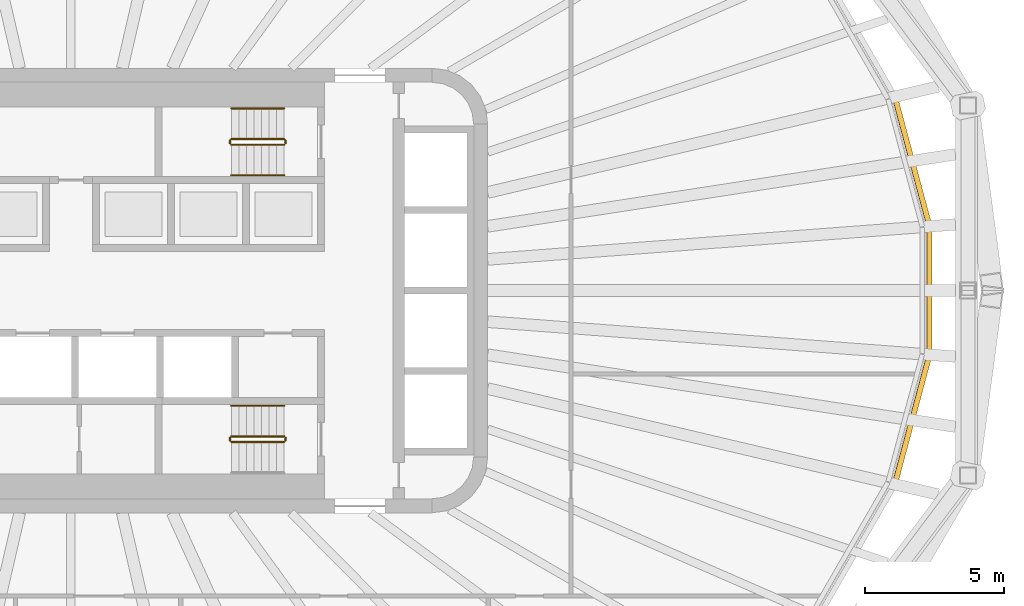
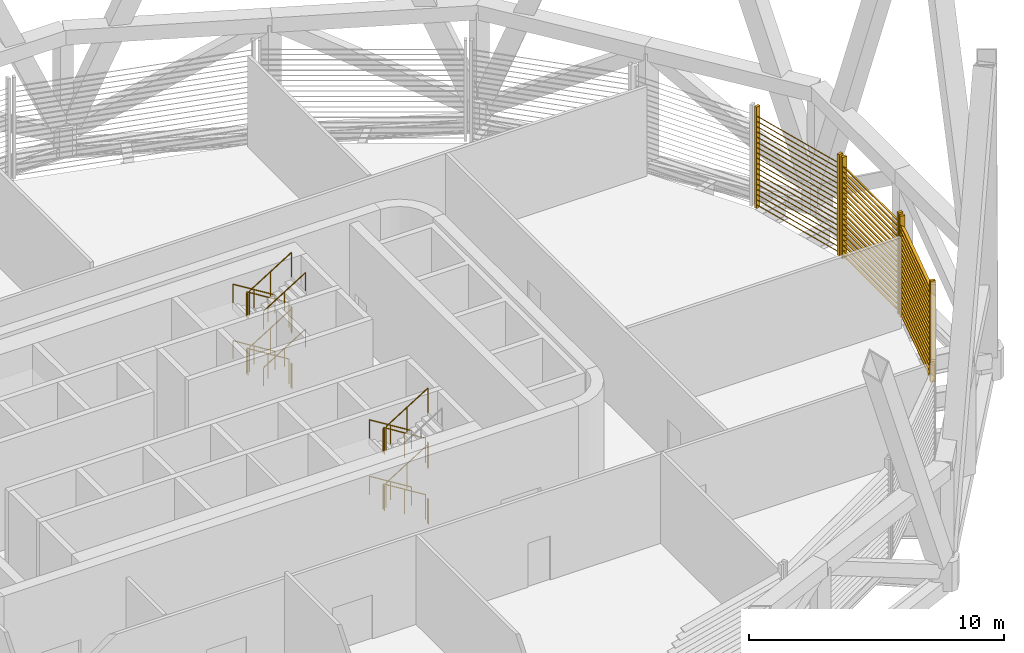
# One storey, part 15 of 18: 22 railings, 3 shading devices.
"""IFC4 building model written with IfcOpenShell, lengths in metres."""

from ifc_helpers import new_model, si_unit, direction, frame, origin, origin_2d, place, context, subcontext, project, spatial, rectangle, circle, extrude, material, type_object, element, save


model = new_model("IFC4")

# Units and contexts
model_context = context("Model", 3, precision=1e-05, world=origin(), true_north=direction((0.0, 1.0)))
body_context = subcontext(model_context, "Body", "Model", "MODEL_VIEW")
ifc_project = project(units=[si_unit("LENGTHUNIT", "METRE"), si_unit("AREAUNIT", "SQUARE_METRE"), si_unit("VOLUMEUNIT", "CUBIC_METRE"), si_unit("PLANEANGLEUNIT", "RADIAN"), si_unit("MASSUNIT", "GRAM", prefix="KILO")], contexts=[model_context])

# Site, building, storey
site_placement = place(None, origin())
site = spatial("IfcSite", under=ifc_project, at=site_placement, CompositionType="ELEMENT")
building_placement = place(site_placement, origin())
building = spatial("IfcBuilding", under=site, at=building_placement, Name="Sahrelin Media Tower", CompositionType="ELEMENT")
storey_placement = place(building_placement, frame((0.0, 0.0, 197.60009765625)))
storey = spatial("IfcBuildingStorey", under=building, at=storey_placement, Name="L42", CompositionType="ELEMENT", Elevation=197.60009765625)

# Shading devices
ifc_material_1 = material(Name="Champagne anodised aluminium 6063-T6", Category="aluminium")
shading_device_type = type_object("IfcShadingDeviceType", Name="Sand-rejection louvre band", PredefinedType="USERDEFINED", material=ifc_material_1)
shading_device_1_placement = place(storey_placement, frame((30.7998046875, 0.0, 0.0), z_axis=(0.0, 0.0, 1.0), x_axis=(0.0, -1.0, 0.0)))
element("IfcShadingDevice", 1, at=shading_device_1_placement, inside=storey, type_object=shading_device_type, Name="L42:LOUVRE:L42-00", ObjectType="LOUVRE", PredefinedType="USERDEFINED", context=body_context, shape_type="SweptSolid", body=[
    extrude(rectangle(XDim=0.1201171875, YDim=0.199951171875, at=origin_2d()), frame((2.19189453125, 0.10009765625, 0.050048828125), z_axis=(0.0, 0.0, 1.0), x_axis=(1.0, 0.0, 0.0)), (0.0, 0.0, 1.0), 4.8486328125),
    extrude(rectangle(XDim=0.1201171875, YDim=0.199951171875, at=origin_2d()), frame((-2.19189453125, 0.10009765625, 0.050048828125), z_axis=(0.0, 0.0, 1.0), x_axis=(1.0, 0.0, 0.0)), (0.0, 0.0, 1.0), 4.8486328125),
    extrude(rectangle(XDim=0.25, YDim=0.02001953125, at=origin_2d()), frame((2.1318359375, 0.10009765625, 0.14990234375), z_axis=(-1.0, 0.0, 0.0), x_axis=(0.0, -0.766044443119, 0.642787609687)), (0.0, 0.0, 1.0), 4.263671875),
    extrude(rectangle(XDim=0.25, YDim=0.02001953125, at=origin_2d()), frame((2.1318359375, 0.10009765625, 0.39990234375), z_axis=(-1.0, 0.0, 0.0), x_axis=(0.0, -0.766044443119, 0.642787609687)), (0.0, 0.0, 1.0), 4.263671875),
    extrude(rectangle(XDim=0.25, YDim=0.02001953125, at=origin_2d()), frame((2.1318359375, 0.10009765625, 0.64990234375), z_axis=(-1.0, 0.0, 0.0), x_axis=(0.0, -0.766044443119, 0.642787609687)), (0.0, 0.0, 1.0), 4.263671875),
    extrude(rectangle(XDim=0.25, YDim=0.02001953125, at=origin_2d()), frame((2.1318359375, 0.10009765625, 0.89990234375), z_axis=(-1.0, 0.0, 0.0), x_axis=(0.0, -0.766044443119, 0.642787609687)), (0.0, 0.0, 1.0), 4.263671875),
    extrude(rectangle(XDim=0.25, YDim=0.02001953125, at=origin_2d()), frame((2.1318359375, 0.10009765625, 1.14990234375), z_axis=(-1.0, 0.0, 0.0), x_axis=(0.0, -0.766044443119, 0.642787609687)), (0.0, 0.0, 1.0), 4.263671875),
    extrude(rectangle(XDim=0.25, YDim=0.02001953125, at=origin_2d()), frame((2.1318359375, 0.10009765625, 1.39990234375), z_axis=(-1.0, 0.0, 0.0), x_axis=(0.0, -0.766044443119, 0.642787609687)), (0.0, 0.0, 1.0), 4.263671875),
    extrude(rectangle(XDim=0.25, YDim=0.02001953125, at=origin_2d()), frame((2.1318359375, 0.10009765625, 1.64990234375), z_axis=(-1.0, 0.0, 0.0), x_axis=(0.0, -0.766044443119, 0.642787609687)), (0.0, 0.0, 1.0), 4.263671875),
    extrude(rectangle(XDim=0.25, YDim=0.02001953125, at=origin_2d()), frame((2.1318359375, 0.10009765625, 1.89990234375), z_axis=(-1.0, 0.0, 0.0), x_axis=(0.0, -0.766044443119, 0.642787609687)), (0.0, 0.0, 1.0), 4.263671875),
    extrude(rectangle(XDim=0.25, YDim=0.02001953125, at=origin_2d()), frame((2.1318359375, 0.10009765625, 2.14990234375), z_axis=(-1.0, 0.0, 0.0), x_axis=(0.0, -0.766044443119, 0.642787609687)), (0.0, 0.0, 1.0), 4.263671875),
    extrude(rectangle(XDim=0.25, YDim=0.02001953125, at=origin_2d()), frame((2.1318359375, 0.10009765625, 2.39990234375), z_axis=(-1.0, 0.0, 0.0), x_axis=(0.0, -0.766044443119, 0.642787609687)), (0.0, 0.0, 1.0), 4.263671875),
    extrude(rectangle(XDim=0.25, YDim=0.02001953125, at=origin_2d()), frame((2.1318359375, 0.10009765625, 2.64990234375), z_axis=(-1.0, 0.0, 0.0), x_axis=(0.0, -0.766044443119, 0.642787609687)), (0.0, 0.0, 1.0), 4.263671875),
    extrude(rectangle(XDim=0.25, YDim=0.02001953125, at=origin_2d()), frame((2.1318359375, 0.10009765625, 2.89990234375), z_axis=(-1.0, 0.0, 0.0), x_axis=(0.0, -0.766044443119, 0.642787609687)), (0.0, 0.0, 1.0), 4.263671875),
    extrude(rectangle(XDim=0.25, YDim=0.02001953125, at=origin_2d()), frame((2.1318359375, 0.10009765625, 3.14990234375), z_axis=(-1.0, 0.0, 0.0), x_axis=(0.0, -0.766044443119, 0.642787609687)), (0.0, 0.0, 1.0), 4.263671875),
    extrude(rectangle(XDim=0.25, YDim=0.02001953125, at=origin_2d()), frame((2.1318359375, 0.10009765625, 3.39990234375), z_axis=(-1.0, 0.0, 0.0), x_axis=(0.0, -0.766044443119, 0.642787609687)), (0.0, 0.0, 1.0), 4.263671875),
    extrude(rectangle(XDim=0.25, YDim=0.02001953125, at=origin_2d()), frame((2.1318359375, 0.10009765625, 3.64990234375), z_axis=(-1.0, 0.0, 0.0), x_axis=(0.0, -0.766044443119, 0.642787609687)), (0.0, 0.0, 1.0), 4.263671875),
    extrude(rectangle(XDim=0.25, YDim=0.02001953125, at=origin_2d()), frame((2.1318359375, 0.10009765625, 3.89990234375), z_axis=(-1.0, 0.0, 0.0), x_axis=(0.0, -0.766044443119, 0.642787609687)), (0.0, 0.0, 1.0), 4.263671875),
    extrude(rectangle(XDim=0.25, YDim=0.02001953125, at=origin_2d()), frame((2.1318359375, 0.10009765625, 4.14990234375), z_axis=(-1.0, 0.0, 0.0), x_axis=(0.0, -0.766044443119, 0.642787609687)), (0.0, 0.0, 1.0), 4.263671875),
    extrude(rectangle(XDim=0.25, YDim=0.02001953125, at=origin_2d()), frame((2.1318359375, 0.10009765625, 4.39990234375), z_axis=(-1.0, 0.0, 0.0), x_axis=(0.0, -0.766044443119, 0.642787609687)), (0.0, 0.0, 1.0), 4.263671875),
])
shading_device_2_placement = place(storey_placement, frame((30.176513671875, 4.627197265625, 0.0), z_axis=(0.0, 0.0, 1.0), x_axis=(0.258807731996, -0.965928857556, 0.0)))
element("IfcShadingDevice", 2, at=shading_device_2_placement, inside=storey, type_object=shading_device_type, Name="L42:LOUVRE:L42-01", ObjectType="LOUVRE", PredefinedType="USERDEFINED", context=body_context, shape_type="SweptSolid", body=[
    extrude(rectangle(XDim=0.1201171875, YDim=0.199951171875, at=origin_2d()), frame((2.29736328125, 0.10009765625, 0.050048828125), z_axis=(0.0, 0.0, 1.0), x_axis=(1.0, 0.0, 0.0)), (0.0, 0.0, 1.0), 4.8486328125),
    extrude(rectangle(XDim=0.1201171875, YDim=0.199951171875, at=origin_2d()), frame((-2.29736328125, 0.10009765625, 0.050048828125), z_axis=(0.0, 0.0, 1.0), x_axis=(1.0, 0.0, 0.0)), (0.0, 0.0, 1.0), 4.8486328125),
    extrude(rectangle(XDim=0.25, YDim=0.02001953125, at=origin_2d()), frame((2.2373046875, 0.10009765625, 0.14990234375), z_axis=(-1.0, 0.0, 0.0), x_axis=(0.0, -0.766044443119, 0.642787609687)), (0.0, 0.0, 1.0), 4.474609375),
    extrude(rectangle(XDim=0.25, YDim=0.02001953125, at=origin_2d()), frame((2.2373046875, 0.10009765625, 0.39990234375), z_axis=(-1.0, 0.0, 0.0), x_axis=(0.0, -0.766044443119, 0.642787609687)), (0.0, 0.0, 1.0), 4.474609375),
    extrude(rectangle(XDim=0.25, YDim=0.02001953125, at=origin_2d()), frame((2.2373046875, 0.10009765625, 0.64990234375), z_axis=(-1.0, 0.0, 0.0), x_axis=(0.0, -0.766044443119, 0.642787609687)), (0.0, 0.0, 1.0), 4.474609375),
    extrude(rectangle(XDim=0.25, YDim=0.02001953125, at=origin_2d()), frame((2.2373046875, 0.10009765625, 0.89990234375), z_axis=(-1.0, 0.0, 0.0), x_axis=(0.0, -0.766044443119, 0.642787609687)), (0.0, 0.0, 1.0), 4.474609375),
    extrude(rectangle(XDim=0.25, YDim=0.02001953125, at=origin_2d()), frame((2.2373046875, 0.10009765625, 1.14990234375), z_axis=(-1.0, 0.0, 0.0), x_axis=(0.0, -0.766044443119, 0.642787609687)), (0.0, 0.0, 1.0), 4.474609375),
    extrude(rectangle(XDim=0.25, YDim=0.02001953125, at=origin_2d()), frame((2.2373046875, 0.10009765625, 1.39990234375), z_axis=(-1.0, 0.0, 0.0), x_axis=(0.0, -0.766044443119, 0.642787609687)), (0.0, 0.0, 1.0), 4.474609375),
    extrude(rectangle(XDim=0.25, YDim=0.02001953125, at=origin_2d()), frame((2.2373046875, 0.10009765625, 1.64990234375), z_axis=(-1.0, 0.0, 0.0), x_axis=(0.0, -0.766044443119, 0.642787609687)), (0.0, 0.0, 1.0), 4.474609375),
    extrude(rectangle(XDim=0.25, YDim=0.02001953125, at=origin_2d()), frame((2.2373046875, 0.10009765625, 1.89990234375), z_axis=(-1.0, 0.0, 0.0), x_axis=(0.0, -0.766044443119, 0.642787609687)), (0.0, 0.0, 1.0), 4.474609375),
    extrude(rectangle(XDim=0.25, YDim=0.02001953125, at=origin_2d()), frame((2.2373046875, 0.10009765625, 2.14990234375), z_axis=(-1.0, 0.0, 0.0), x_axis=(0.0, -0.766044443119, 0.642787609687)), (0.0, 0.0, 1.0), 4.474609375),
    extrude(rectangle(XDim=0.25, YDim=0.02001953125, at=origin_2d()), frame((2.2373046875, 0.10009765625, 2.39990234375), z_axis=(-1.0, 0.0, 0.0), x_axis=(0.0, -0.766044443119, 0.642787609687)), (0.0, 0.0, 1.0), 4.474609375),
    extrude(rectangle(XDim=0.25, YDim=0.02001953125, at=origin_2d()), frame((2.2373046875, 0.10009765625, 2.64990234375), z_axis=(-1.0, 0.0, 0.0), x_axis=(0.0, -0.766044443119, 0.642787609687)), (0.0, 0.0, 1.0), 4.474609375),
    extrude(rectangle(XDim=0.25, YDim=0.02001953125, at=origin_2d()), frame((2.2373046875, 0.10009765625, 2.89990234375), z_axis=(-1.0, 0.0, 0.0), x_axis=(0.0, -0.766044443119, 0.642787609687)), (0.0, 0.0, 1.0), 4.474609375),
    extrude(rectangle(XDim=0.25, YDim=0.02001953125, at=origin_2d()), frame((2.2373046875, 0.10009765625, 3.14990234375), z_axis=(-1.0, 0.0, 0.0), x_axis=(0.0, -0.766044443119, 0.642787609687)), (0.0, 0.0, 1.0), 4.474609375),
    extrude(rectangle(XDim=0.25, YDim=0.02001953125, at=origin_2d()), frame((2.2373046875, 0.10009765625, 3.39990234375), z_axis=(-1.0, 0.0, 0.0), x_axis=(0.0, -0.766044443119, 0.642787609687)), (0.0, 0.0, 1.0), 4.474609375),
    extrude(rectangle(XDim=0.25, YDim=0.02001953125, at=origin_2d()), frame((2.2373046875, 0.10009765625, 3.64990234375), z_axis=(-1.0, 0.0, 0.0), x_axis=(0.0, -0.766044443119, 0.642787609687)), (0.0, 0.0, 1.0), 4.474609375),
    extrude(rectangle(XDim=0.25, YDim=0.02001953125, at=origin_2d()), frame((2.2373046875, 0.10009765625, 3.89990234375), z_axis=(-1.0, 0.0, 0.0), x_axis=(0.0, -0.766044443119, 0.642787609687)), (0.0, 0.0, 1.0), 4.474609375),
    extrude(rectangle(XDim=0.25, YDim=0.02001953125, at=origin_2d()), frame((2.2373046875, 0.10009765625, 4.14990234375), z_axis=(-1.0, 0.0, 0.0), x_axis=(0.0, -0.766044443119, 0.642787609687)), (0.0, 0.0, 1.0), 4.474609375),
    extrude(rectangle(XDim=0.25, YDim=0.02001953125, at=origin_2d()), frame((2.2373046875, 0.10009765625, 4.39990234375), z_axis=(-1.0, 0.0, 0.0), x_axis=(0.0, -0.766044443119, 0.642787609687)), (0.0, 0.0, 1.0), 4.474609375),
])
shading_device_3_placement = place(storey_placement, frame((30.1767578125, -4.627197265625, 0.0), z_axis=(0.0, 0.0, 1.0), x_axis=(-0.258807731996, -0.965928857556, 0.0)))
element("IfcShadingDevice", 3, at=shading_device_3_placement, inside=storey, type_object=shading_device_type, Name="L42:LOUVRE:L42-23", ObjectType="LOUVRE", PredefinedType="USERDEFINED", context=body_context, shape_type="SweptSolid", body=[
    extrude(rectangle(XDim=0.1201171875, YDim=0.199951171875, at=origin_2d()), frame((2.29736328125, 0.10009765625, 0.050048828125), z_axis=(0.0, 0.0, 1.0), x_axis=(1.0, 0.0, 0.0)), (0.0, 0.0, 1.0), 4.8486328125),
    extrude(rectangle(XDim=0.1201171875, YDim=0.199951171875, at=origin_2d()), frame((-2.29736328125, 0.10009765625, 0.050048828125), z_axis=(0.0, 0.0, 1.0), x_axis=(1.0, 0.0, 0.0)), (0.0, 0.0, 1.0), 4.8486328125),
    extrude(rectangle(XDim=0.25, YDim=0.02001953125, at=origin_2d()), frame((2.2373046875, 0.10009765625, 0.14990234375), z_axis=(-1.0, 0.0, 0.0), x_axis=(0.0, -0.766044443119, 0.642787609687)), (0.0, 0.0, 1.0), 4.474609375),
    extrude(rectangle(XDim=0.25, YDim=0.02001953125, at=origin_2d()), frame((2.2373046875, 0.10009765625, 0.39990234375), z_axis=(-1.0, 0.0, 0.0), x_axis=(0.0, -0.766044443119, 0.642787609687)), (0.0, 0.0, 1.0), 4.474609375),
    extrude(rectangle(XDim=0.25, YDim=0.02001953125, at=origin_2d()), frame((2.2373046875, 0.10009765625, 0.64990234375), z_axis=(-1.0, 0.0, 0.0), x_axis=(0.0, -0.766044443119, 0.642787609687)), (0.0, 0.0, 1.0), 4.474609375),
    extrude(rectangle(XDim=0.25, YDim=0.02001953125, at=origin_2d()), frame((2.2373046875, 0.10009765625, 0.89990234375), z_axis=(-1.0, 0.0, 0.0), x_axis=(0.0, -0.766044443119, 0.642787609687)), (0.0, 0.0, 1.0), 4.474609375),
    extrude(rectangle(XDim=0.25, YDim=0.02001953125, at=origin_2d()), frame((2.2373046875, 0.10009765625, 1.14990234375), z_axis=(-1.0, 0.0, 0.0), x_axis=(0.0, -0.766044443119, 0.642787609687)), (0.0, 0.0, 1.0), 4.474609375),
    extrude(rectangle(XDim=0.25, YDim=0.02001953125, at=origin_2d()), frame((2.2373046875, 0.10009765625, 1.39990234375), z_axis=(-1.0, 0.0, 0.0), x_axis=(0.0, -0.766044443119, 0.642787609687)), (0.0, 0.0, 1.0), 4.474609375),
    extrude(rectangle(XDim=0.25, YDim=0.02001953125, at=origin_2d()), frame((2.2373046875, 0.10009765625, 1.64990234375), z_axis=(-1.0, 0.0, 0.0), x_axis=(0.0, -0.766044443119, 0.642787609687)), (0.0, 0.0, 1.0), 4.474609375),
    extrude(rectangle(XDim=0.25, YDim=0.02001953125, at=origin_2d()), frame((2.2373046875, 0.10009765625, 1.89990234375), z_axis=(-1.0, 0.0, 0.0), x_axis=(0.0, -0.766044443119, 0.642787609687)), (0.0, 0.0, 1.0), 4.474609375),
    extrude(rectangle(XDim=0.25, YDim=0.02001953125, at=origin_2d()), frame((2.2373046875, 0.10009765625, 2.14990234375), z_axis=(-1.0, 0.0, 0.0), x_axis=(0.0, -0.766044443119, 0.642787609687)), (0.0, 0.0, 1.0), 4.474609375),
    extrude(rectangle(XDim=0.25, YDim=0.02001953125, at=origin_2d()), frame((2.2373046875, 0.10009765625, 2.39990234375), z_axis=(-1.0, 0.0, 0.0), x_axis=(0.0, -0.766044443119, 0.642787609687)), (0.0, 0.0, 1.0), 4.474609375),
    extrude(rectangle(XDim=0.25, YDim=0.02001953125, at=origin_2d()), frame((2.2373046875, 0.10009765625, 2.64990234375), z_axis=(-1.0, 0.0, 0.0), x_axis=(0.0, -0.766044443119, 0.642787609687)), (0.0, 0.0, 1.0), 4.474609375),
    extrude(rectangle(XDim=0.25, YDim=0.02001953125, at=origin_2d()), frame((2.2373046875, 0.10009765625, 2.89990234375), z_axis=(-1.0, 0.0, 0.0), x_axis=(0.0, -0.766044443119, 0.642787609687)), (0.0, 0.0, 1.0), 4.474609375),
    extrude(rectangle(XDim=0.25, YDim=0.02001953125, at=origin_2d()), frame((2.2373046875, 0.10009765625, 3.14990234375), z_axis=(-1.0, 0.0, 0.0), x_axis=(0.0, -0.766044443119, 0.642787609687)), (0.0, 0.0, 1.0), 4.474609375),
    extrude(rectangle(XDim=0.25, YDim=0.02001953125, at=origin_2d()), frame((2.2373046875, 0.10009765625, 3.39990234375), z_axis=(-1.0, 0.0, 0.0), x_axis=(0.0, -0.766044443119, 0.642787609687)), (0.0, 0.0, 1.0), 4.474609375),
    extrude(rectangle(XDim=0.25, YDim=0.02001953125, at=origin_2d()), frame((2.2373046875, 0.10009765625, 3.64990234375), z_axis=(-1.0, 0.0, 0.0), x_axis=(0.0, -0.766044443119, 0.642787609687)), (0.0, 0.0, 1.0), 4.474609375),
    extrude(rectangle(XDim=0.25, YDim=0.02001953125, at=origin_2d()), frame((2.2373046875, 0.10009765625, 3.89990234375), z_axis=(-1.0, 0.0, 0.0), x_axis=(0.0, -0.766044443119, 0.642787609687)), (0.0, 0.0, 1.0), 4.474609375),
    extrude(rectangle(XDim=0.25, YDim=0.02001953125, at=origin_2d()), frame((2.2373046875, 0.10009765625, 4.14990234375), z_axis=(-1.0, 0.0, 0.0), x_axis=(0.0, -0.766044443119, 0.642787609687)), (0.0, 0.0, 1.0), 4.474609375),
    extrude(rectangle(XDim=0.25, YDim=0.02001953125, at=origin_2d()), frame((2.2373046875, 0.10009765625, 4.39990234375), z_axis=(-1.0, 0.0, 0.0), x_axis=(0.0, -0.766044443119, 0.642787609687)), (0.0, 0.0, 1.0), 4.474609375),
])

# Railings
ifc_material_2 = material(Name="Steel S355", Category="steel")
railing_type_1 = type_object("IfcRailingType", Name="Stair guard 1200", PredefinedType="GUARDRAIL", material=ifc_material_2)
railing_1_placement = place(storey_placement, frame((7.675048828125, 5.449951171875, 0.168701171875)))
element("IfcRailing", 4, at=railing_1_placement, inside=storey, type_object=railing_type_1, Name="L42 ST3 stair guard 1", PredefinedType="GUARDRAIL", context=body_context, shape_type="SweptSolid", body=[
    extrude(circle(Radius=0.02392578125, at=origin_2d()), frame((0.0, 0.0, 1.17578125), z_axis=(-0.849289292259, 0.0, 0.527927739425), x_axis=(0.0, -1.0, 0.0)), (0.0, 0.0, 1.0), 2.2373046875),
    extrude(circle(Radius=0.02099609375, at=origin_2d()), origin(), (0.0, 0.0, 1.0), 1.15185546875),
    extrude(circle(Radius=0.02099609375, at=origin_2d()), frame((-0.9501953125, 0.0, 0.590576171875)), (0.0, 0.0, 1.0), 1.15185546875),
    extrude(circle(Radius=0.02099609375, at=origin_2d()), frame((-1.900146484375, 0.0, 1.18115234375)), (0.0, 0.0, 1.0), 1.15185546875),
])
railing_2_placement = place(storey_placement, frame((5.72509765625, 5.39990234375, 1.349853515625)))
element("IfcRailing", 5, at=railing_2_placement, inside=storey, type_object=railing_type_1, Name="L42 ST3 stair guard 2", PredefinedType="GUARDRAIL", context=body_context, shape_type="SweptSolid", body=[
    extrude(circle(Radius=0.02392578125, at=origin_2d()), frame((0.0, 0.0, 1.17578125), z_axis=(0.0, -1.0, 0.0), x_axis=(1.0, 0.0, 0.0)), (0.0, 0.0, 1.0), 0.099853515625),
    extrude(circle(Radius=0.02099609375, at=origin_2d()), origin(), (0.0, 0.0, 1.0), 1.15185546875),
    extrude(circle(Radius=0.02099609375, at=origin_2d()), frame((0.0, -0.099853515625, 0.0)), (0.0, 0.0, 1.0), 1.15185546875),
])
railing_3_placement = place(storey_placement, frame((5.77490234375, 5.25, 1.5185546875)))
element("IfcRailing", 6, at=railing_3_placement, inside=storey, type_object=railing_type_1, Name="L42 ST3 stair guard 3", PredefinedType="GUARDRAIL", context=body_context, shape_type="SweptSolid", body=[
    extrude(circle(Radius=0.02392578125, at=origin_2d()), frame((0.0, 0.0, 1.17578125), z_axis=(0.849240365539, 0.0, 0.528006440812), x_axis=(0.0, 1.0, 0.0)), (0.0, 0.0, 1.0), 2.237548828125),
    extrude(circle(Radius=0.02099609375, at=origin_2d()), origin(), (0.0, 0.0, 1.0), 1.15185546875),
    extrude(circle(Radius=0.02099609375, at=origin_2d()), frame((0.9501953125, 0.0, 0.5908203125)), (0.0, 0.0, 1.0), 1.15185546875),
    extrude(circle(Radius=0.02099609375, at=origin_2d()), frame((1.900146484375, 0.0, 1.181396484375)), (0.0, 0.0, 1.0), 1.15185546875),
])
railing_4_placement = place(storey_placement, frame((7.72509765625, 5.39990234375, 2.699951171875)))
element("IfcRailing", 7, at=railing_4_placement, inside=storey, type_object=railing_type_1, Name="L42 ST3 stair guard 4", PredefinedType="GUARDRAIL", context=body_context, shape_type="SweptSolid", body=[
    extrude(circle(Radius=0.02392578125, at=origin_2d()), frame((0.0, 0.0, 1.17578125), z_axis=(0.0, -1.0, 0.0), x_axis=(1.0, 0.0, 0.0)), (0.0, 0.0, 1.0), 0.099853515625),
    extrude(circle(Radius=0.02099609375, at=origin_2d()), origin(), (0.0, 0.0, 1.0), 1.15185546875),
    extrude(circle(Radius=0.02099609375, at=origin_2d()), frame((0.0, -0.099853515625, 0.0)), (0.0, 0.0, 1.0), 1.15185546875),
])
railing_5_placement = place(storey_placement, frame((7.675048828125, 5.449951171875, 2.86865234375)))
element("IfcRailing", 8, at=railing_5_placement, inside=storey, type_object=railing_type_1, Name="L42 ST3 stair guard 5", PredefinedType="GUARDRAIL", context=body_context, shape_type="SweptSolid", body=[
    extrude(circle(Radius=0.02392578125, at=origin_2d()), frame((0.0, 0.0, 1.17578125), z_axis=(-0.849289292259, 0.0, 0.527927739425), x_axis=(0.0, -1.0, 0.0)), (0.0, 0.0, 1.0), 2.2373046875),
    extrude(circle(Radius=0.02099609375, at=origin_2d()), origin(), (0.0, 0.0, 1.0), 1.15185546875),
    extrude(circle(Radius=0.02099609375, at=origin_2d()), frame((-0.9501953125, 0.0, 0.590576171875)), (0.0, 0.0, 1.0), 1.15185546875),
    extrude(circle(Radius=0.02099609375, at=origin_2d()), frame((-1.900146484375, 0.0, 1.18115234375)), (0.0, 0.0, 1.0), 1.15185546875),
])
railing_6_placement = place(storey_placement, frame((5.72509765625, 5.39990234375, 4.0498046875)))
element("IfcRailing", 9, at=railing_6_placement, inside=storey, type_object=railing_type_1, Name="L42 ST3 stair guard 6", PredefinedType="GUARDRAIL", context=body_context, shape_type="SweptSolid", body=[
    extrude(circle(Radius=0.02392578125, at=origin_2d()), frame((0.0, 0.0, 1.17578125), z_axis=(0.0, -1.0, 0.0), x_axis=(1.0, 0.0, 0.0)), (0.0, 0.0, 1.0), 0.099853515625),
    extrude(circle(Radius=0.02099609375, at=origin_2d()), origin(), (0.0, 0.0, 1.0), 1.15185546875),
    extrude(circle(Radius=0.02099609375, at=origin_2d()), frame((0.0, -0.099853515625, 0.0)), (0.0, 0.0, 1.0), 1.15185546875),
])
railing_7_placement = place(storey_placement, frame((5.77490234375, 5.25, 4.21875)))
element("IfcRailing", 10, at=railing_7_placement, inside=storey, type_object=railing_type_1, Name="L42 ST3 stair guard 7", PredefinedType="GUARDRAIL", context=body_context, shape_type="SweptSolid", body=[
    extrude(circle(Radius=0.02392578125, at=origin_2d()), frame((0.0, 0.0, 1.17578125), z_axis=(0.849289292259, 0.0, 0.527927739425), x_axis=(0.0, 1.0, 0.0)), (0.0, 0.0, 1.0), 2.2373046875),
    extrude(circle(Radius=0.02099609375, at=origin_2d()), origin(), (0.0, 0.0, 1.0), 1.15185546875),
    extrude(circle(Radius=0.02099609375, at=origin_2d()), frame((0.9501953125, 0.0, 0.590576171875)), (0.0, 0.0, 1.0), 1.15185546875),
    extrude(circle(Radius=0.02099609375, at=origin_2d()), frame((1.900146484375, 0.0, 1.18115234375)), (0.0, 0.0, 1.0), 1.15185546875),
])
railing_8_placement = place(storey_placement, frame((7.72509765625, 5.39990234375, 0.0)))
element("IfcRailing", 11, at=railing_8_placement, inside=storey, type_object=railing_type_1, Name="L42 ST3 stair guard 8", PredefinedType="GUARDRAIL", context=body_context, shape_type="SweptSolid", body=[
    extrude(circle(Radius=0.02392578125, at=origin_2d()), frame((0.0, 0.0, 1.17578125), z_axis=(0.0, -1.0, 0.0), x_axis=(1.0, 0.0, 0.0)), (0.0, 0.0, 1.0), 0.099853515625),
    extrude(circle(Radius=0.02099609375, at=origin_2d()), origin(), (0.0, 0.0, 1.0), 1.15185546875),
    extrude(circle(Radius=0.02099609375, at=origin_2d()), frame((0.0, -0.099853515625, 0.0)), (0.0, 0.0, 1.0), 1.15185546875),
])
railing_9_placement = place(storey_placement, frame((7.675048828125, -5.25, 0.168701171875)))
element("IfcRailing", 12, at=railing_9_placement, inside=storey, type_object=railing_type_1, Name="L42 ST2 stair guard 1", PredefinedType="GUARDRAIL", context=body_context, shape_type="SweptSolid", body=[
    extrude(circle(Radius=0.02392578125, at=origin_2d()), frame((0.0, 0.0, 1.17578125), z_axis=(-0.849289292259, 0.0, 0.527927739425), x_axis=(0.0, -1.0, 0.0)), (0.0, 0.0, 1.0), 2.2373046875),
    extrude(circle(Radius=0.02099609375, at=origin_2d()), origin(), (0.0, 0.0, 1.0), 1.15185546875),
    extrude(circle(Radius=0.02099609375, at=origin_2d()), frame((-0.9501953125, 0.0, 0.590576171875)), (0.0, 0.0, 1.0), 1.15185546875),
    extrude(circle(Radius=0.02099609375, at=origin_2d()), frame((-1.900146484375, 0.0, 1.18115234375)), (0.0, 0.0, 1.0), 1.15185546875),
])
railing_10_placement = place(storey_placement, frame((5.72509765625, -5.300048828125, 1.349853515625)))
element("IfcRailing", 13, at=railing_10_placement, inside=storey, type_object=railing_type_1, Name="L42 ST2 stair guard 2", PredefinedType="GUARDRAIL", context=body_context, shape_type="SweptSolid", body=[
    extrude(circle(Radius=0.02392578125, at=origin_2d()), frame((0.0, 0.0, 1.17578125), z_axis=(0.0, -1.0, 0.0), x_axis=(1.0, 0.0, 0.0)), (0.0, 0.0, 1.0), 0.099853515625),
    extrude(circle(Radius=0.02099609375, at=origin_2d()), origin(), (0.0, 0.0, 1.0), 1.15185546875),
    extrude(circle(Radius=0.02099609375, at=origin_2d()), frame((0.0, -0.099853515625, 0.0)), (0.0, 0.0, 1.0), 1.15185546875),
])
railing_11_placement = place(storey_placement, frame((5.77490234375, -5.449951171875, 1.5185546875)))
element("IfcRailing", 14, at=railing_11_placement, inside=storey, type_object=railing_type_1, Name="L42 ST2 stair guard 3", PredefinedType="GUARDRAIL", context=body_context, shape_type="SweptSolid", body=[
    extrude(circle(Radius=0.02392578125, at=origin_2d()), frame((0.0, 0.0, 1.17578125), z_axis=(0.849240365539, 0.0, 0.528006440812), x_axis=(0.0, 1.0, 0.0)), (0.0, 0.0, 1.0), 2.237548828125),
    extrude(circle(Radius=0.02099609375, at=origin_2d()), origin(), (0.0, 0.0, 1.0), 1.15185546875),
    extrude(circle(Radius=0.02099609375, at=origin_2d()), frame((0.9501953125, 0.0, 0.5908203125)), (0.0, 0.0, 1.0), 1.15185546875),
    extrude(circle(Radius=0.02099609375, at=origin_2d()), frame((1.900146484375, 0.0, 1.181396484375)), (0.0, 0.0, 1.0), 1.15185546875),
])
railing_12_placement = place(storey_placement, frame((7.72509765625, -5.300048828125, 2.699951171875)))
element("IfcRailing", 15, at=railing_12_placement, inside=storey, type_object=railing_type_1, Name="L42 ST2 stair guard 4", PredefinedType="GUARDRAIL", context=body_context, shape_type="SweptSolid", body=[
    extrude(circle(Radius=0.02392578125, at=origin_2d()), frame((0.0, 0.0, 1.17578125), z_axis=(0.0, -1.0, 0.0), x_axis=(1.0, 0.0, 0.0)), (0.0, 0.0, 1.0), 0.099853515625),
    extrude(circle(Radius=0.02099609375, at=origin_2d()), origin(), (0.0, 0.0, 1.0), 1.15185546875),
    extrude(circle(Radius=0.02099609375, at=origin_2d()), frame((0.0, -0.099853515625, 0.0)), (0.0, 0.0, 1.0), 1.15185546875),
])
railing_13_placement = place(storey_placement, frame((7.675048828125, -5.25, 2.86865234375)))
element("IfcRailing", 16, at=railing_13_placement, inside=storey, type_object=railing_type_1, Name="L42 ST2 stair guard 5", PredefinedType="GUARDRAIL", context=body_context, shape_type="SweptSolid", body=[
    extrude(circle(Radius=0.02392578125, at=origin_2d()), frame((0.0, 0.0, 1.17578125), z_axis=(-0.849289292259, 0.0, 0.527927739425), x_axis=(0.0, -1.0, 0.0)), (0.0, 0.0, 1.0), 2.2373046875),
    extrude(circle(Radius=0.02099609375, at=origin_2d()), origin(), (0.0, 0.0, 1.0), 1.15185546875),
    extrude(circle(Radius=0.02099609375, at=origin_2d()), frame((-0.9501953125, 0.0, 0.590576171875)), (0.0, 0.0, 1.0), 1.15185546875),
    extrude(circle(Radius=0.02099609375, at=origin_2d()), frame((-1.900146484375, 0.0, 1.18115234375)), (0.0, 0.0, 1.0), 1.15185546875),
])
railing_14_placement = place(storey_placement, frame((5.72509765625, -5.300048828125, 4.0498046875)))
element("IfcRailing", 17, at=railing_14_placement, inside=storey, type_object=railing_type_1, Name="L42 ST2 stair guard 6", PredefinedType="GUARDRAIL", context=body_context, shape_type="SweptSolid", body=[
    extrude(circle(Radius=0.02392578125, at=origin_2d()), frame((0.0, 0.0, 1.17578125), z_axis=(0.0, -1.0, 0.0), x_axis=(1.0, 0.0, 0.0)), (0.0, 0.0, 1.0), 0.099853515625),
    extrude(circle(Radius=0.02099609375, at=origin_2d()), origin(), (0.0, 0.0, 1.0), 1.15185546875),
    extrude(circle(Radius=0.02099609375, at=origin_2d()), frame((0.0, -0.099853515625, 0.0)), (0.0, 0.0, 1.0), 1.15185546875),
])
railing_15_placement = place(storey_placement, frame((5.77490234375, -5.449951171875, 4.21875)))
element("IfcRailing", 18, at=railing_15_placement, inside=storey, type_object=railing_type_1, Name="L42 ST2 stair guard 7", PredefinedType="GUARDRAIL", context=body_context, shape_type="SweptSolid", body=[
    extrude(circle(Radius=0.02392578125, at=origin_2d()), frame((0.0, 0.0, 1.17578125), z_axis=(0.849289292259, 0.0, 0.527927739425), x_axis=(0.0, 1.0, 0.0)), (0.0, 0.0, 1.0), 2.2373046875),
    extrude(circle(Radius=0.02099609375, at=origin_2d()), origin(), (0.0, 0.0, 1.0), 1.15185546875),
    extrude(circle(Radius=0.02099609375, at=origin_2d()), frame((0.9501953125, 0.0, 0.590576171875)), (0.0, 0.0, 1.0), 1.15185546875),
    extrude(circle(Radius=0.02099609375, at=origin_2d()), frame((1.900146484375, 0.0, 1.18115234375)), (0.0, 0.0, 1.0), 1.15185546875),
])
railing_16_placement = place(storey_placement, frame((7.72509765625, -5.300048828125, 0.0)))
element("IfcRailing", 19, at=railing_16_placement, inside=storey, type_object=railing_type_1, Name="L42 ST2 stair guard 8", PredefinedType="GUARDRAIL", context=body_context, shape_type="SweptSolid", body=[
    extrude(circle(Radius=0.02392578125, at=origin_2d()), frame((0.0, 0.0, 1.17578125), z_axis=(0.0, -1.0, 0.0), x_axis=(1.0, 0.0, 0.0)), (0.0, 0.0, 1.0), 0.099853515625),
    extrude(circle(Radius=0.02099609375, at=origin_2d()), origin(), (0.0, 0.0, 1.0), 1.15185546875),
    extrude(circle(Radius=0.02099609375, at=origin_2d()), frame((0.0, -0.099853515625, 0.0)), (0.0, 0.0, 1.0), 1.15185546875),
])
railing_type_2 = type_object("IfcRailingType", Name="Stair handrail 900", PredefinedType="HANDRAIL", material=ifc_material_2)
railing_17_placement = place(storey_placement, frame((7.675048828125, 6.550048828125, 0.168701171875)))
element("IfcRailing", 20, at=railing_17_placement, inside=storey, type_object=railing_type_2, Name="L42 ST3 stair handrail 1", PredefinedType="HANDRAIL", context=body_context, shape_type="SweptSolid", body=[
    extrude(circle(Radius=0.02392578125, at=origin_2d()), frame((0.0, 0.0, 0.8759765625), z_axis=(-0.849289292259, 0.0, 0.527927739425), x_axis=(0.0, -1.0, 0.0)), (0.0, 0.0, 1.0), 2.2373046875),
    extrude(circle(Radius=0.02099609375, at=origin_2d()), origin(), (0.0, 0.0, 1.0), 0.851806640625),
    extrude(circle(Radius=0.02099609375, at=origin_2d()), frame((-0.9501953125, 0.0, 0.590576171875)), (0.0, 0.0, 1.0), 0.851806640625),
    extrude(circle(Radius=0.02099609375, at=origin_2d()), frame((-1.900146484375, 0.0, 1.18115234375)), (0.0, 0.0, 1.0), 0.851806640625),
])
railing_18_placement = place(storey_placement, frame((5.77490234375, 4.14990234375, 1.5185546875)))
element("IfcRailing", 21, at=railing_18_placement, inside=storey, type_object=railing_type_2, Name="L42 ST3 stair handrail 2", PredefinedType="HANDRAIL", context=body_context, shape_type="SweptSolid", body=[
    extrude(circle(Radius=0.02392578125, at=origin_2d()), frame((0.0, 0.0, 0.8759765625), z_axis=(0.849240365539, 0.0, 0.528006440812), x_axis=(0.0, 1.0, 0.0)), (0.0, 0.0, 1.0), 2.237548828125),
    extrude(circle(Radius=0.02099609375, at=origin_2d()), origin(), (0.0, 0.0, 1.0), 0.851806640625),
    extrude(circle(Radius=0.02099609375, at=origin_2d()), frame((0.9501953125, 0.0, 0.5908203125)), (0.0, 0.0, 1.0), 0.851806640625),
    extrude(circle(Radius=0.02099609375, at=origin_2d()), frame((1.900146484375, 0.0, 1.181396484375)), (0.0, 0.0, 1.0), 0.851806640625),
])
railing_19_placement = place(storey_placement, frame((7.675048828125, 6.550048828125, 2.86865234375)))
element("IfcRailing", 22, at=railing_19_placement, inside=storey, type_object=railing_type_2, Name="L42 ST3 stair handrail 3", PredefinedType="HANDRAIL", context=body_context, shape_type="SweptSolid", body=[
    extrude(circle(Radius=0.02392578125, at=origin_2d()), frame((0.0, 0.0, 0.8759765625), z_axis=(-0.849289292259, 0.0, 0.527927739425), x_axis=(0.0, -1.0, 0.0)), (0.0, 0.0, 1.0), 2.2373046875),
    extrude(circle(Radius=0.02099609375, at=origin_2d()), origin(), (0.0, 0.0, 1.0), 0.851806640625),
    extrude(circle(Radius=0.02099609375, at=origin_2d()), frame((-0.9501953125, 0.0, 0.590576171875)), (0.0, 0.0, 1.0), 0.851806640625),
    extrude(circle(Radius=0.02099609375, at=origin_2d()), frame((-1.900146484375, 0.0, 1.18115234375)), (0.0, 0.0, 1.0), 0.851806640625),
])
railing_20_placement = place(storey_placement, frame((5.77490234375, 4.14990234375, 4.21875)))
element("IfcRailing", 23, at=railing_20_placement, inside=storey, type_object=railing_type_2, Name="L42 ST3 stair handrail 4", PredefinedType="HANDRAIL", context=body_context, shape_type="SweptSolid", body=[
    extrude(circle(Radius=0.02392578125, at=origin_2d()), frame((0.0, 0.0, 0.8759765625), z_axis=(0.849289292259, 0.0, 0.527927739425), x_axis=(0.0, 1.0, 0.0)), (0.0, 0.0, 1.0), 2.2373046875),
    extrude(circle(Radius=0.02099609375, at=origin_2d()), origin(), (0.0, 0.0, 1.0), 0.851806640625),
    extrude(circle(Radius=0.02099609375, at=origin_2d()), frame((0.9501953125, 0.0, 0.590576171875)), (0.0, 0.0, 1.0), 0.851806640625),
    extrude(circle(Radius=0.02099609375, at=origin_2d()), frame((1.900146484375, 0.0, 1.18115234375)), (0.0, 0.0, 1.0), 0.851806640625),
])
for number, where, name in (
    (24, (7.675048828125, -4.14990234375, 0.168701171875), "L42 ST2 stair handrail 1"),
    (25, (7.675048828125, -4.14990234375, 2.86865234375), "L42 ST2 stair handrail 3"),
):
    element("IfcRailing", number, at=place(storey_placement, frame(where)), inside=storey, type_object=railing_type_2, Name=name, PredefinedType="HANDRAIL", context=body_context, shape_type="SweptSolid", body=[
        extrude(circle(Radius=0.02392578125, at=origin_2d()), frame((0.0, 0.0, 0.8759765625), z_axis=(-0.849289292259, 0.0, 0.527927739425), x_axis=(0.0, -1.0, 0.0)), (0.0, 0.0, 1.0), 2.2373046875),
        extrude(circle(Radius=0.02099609375, at=origin_2d()), origin(), (0.0, 0.0, 1.0), 0.851806640625),
        extrude(circle(Radius=0.02099609375, at=origin_2d()), frame((-0.9501953125, 0.0, 0.590576171875)), (0.0, 0.0, 1.0), 0.851806640625),
        extrude(circle(Radius=0.02099609375, at=origin_2d()), frame((-1.900146484375, 0.0, 1.18115234375)), (0.0, 0.0, 1.0), 0.851806640625),
    ])

save(model, "model.ifc")
